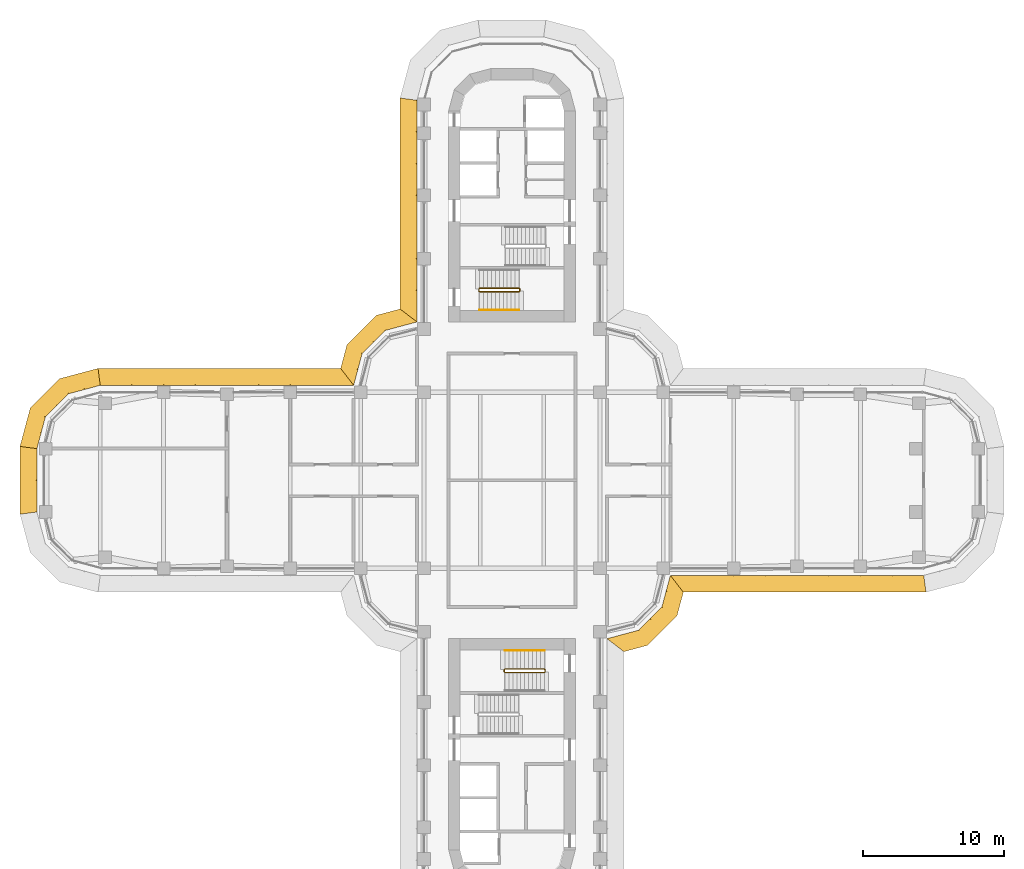
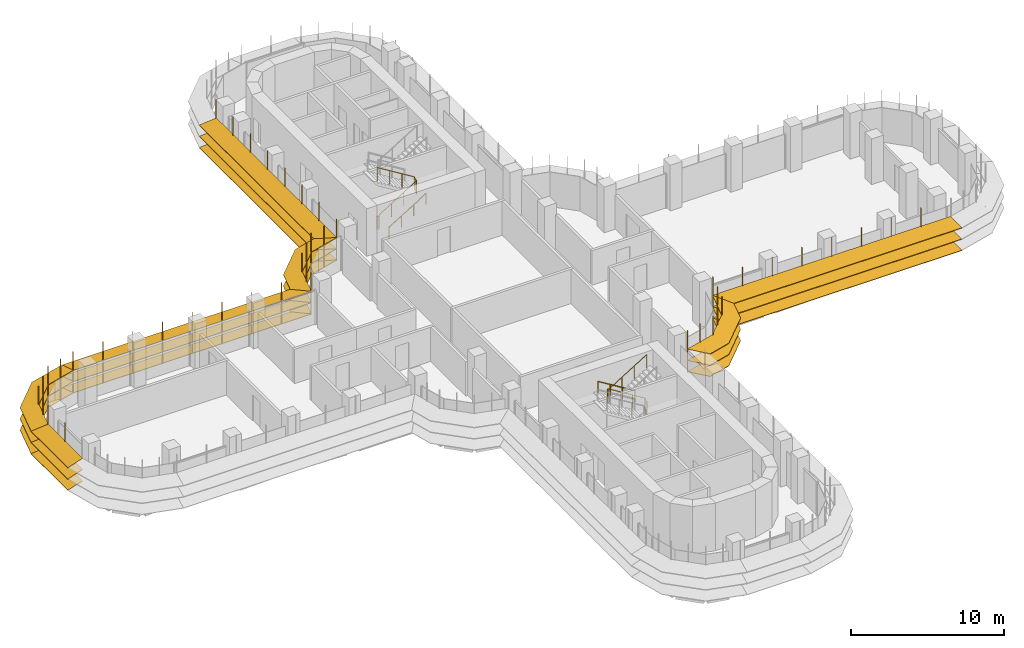
# One storey, part 19 of 21: 7 shading devices, 4 railings.
"""IFC4 building model written with IfcOpenShell, lengths in metres."""

from ifc_helpers import new_model, si_unit, direction, frame, origin, origin_2d, place, context, subcontext, project, spatial, polyline, circle, outline, extrude, faceted_brep, source, transform, mapped, material, type_object, element, save


model = new_model("IFC4")

# Units and contexts
model_context = context("Model", 3, precision=1e-05, world=origin(), true_north=direction((0.0, 1.0)))
body_context = subcontext(model_context, "Body", "Model", "MODEL_VIEW")
ifc_project = project(units=[si_unit("LENGTHUNIT", "METRE"), si_unit("AREAUNIT", "SQUARE_METRE"), si_unit("VOLUMEUNIT", "CUBIC_METRE"), si_unit("PLANEANGLEUNIT", "RADIAN"), si_unit("MASSUNIT", "GRAM", prefix="KILO")], contexts=[model_context])

# Site, building, storey
site_placement = place(None, origin())
site = spatial("IfcSite", under=ifc_project, at=site_placement, CompositionType="ELEMENT")
building_placement = place(site_placement, origin())
building = spatial("IfcBuilding", under=site, at=building_placement, Name="Zarbagh Exchange Tower", CompositionType="ELEMENT")
storey_placement = place(building_placement, frame((0.0, 0.0, 120.800048828125)))
storey = spatial("IfcBuildingStorey", under=building, at=storey_placement, Name="L28", CompositionType="ELEMENT", Elevation=120.800048828125)

# Railings
ifc_material_1 = material(Name="Stainless steel", Category="steel")
railing_type_1 = type_object("IfcRailingType", Name="Stair guard 1100 mm", PredefinedType="GUARDRAIL", material=ifc_material_1)
railing_1_placement = place(storey_placement, frame((-2.35009765625, 13.60009765625, 0.0)))
element("IfcRailing", 1, at=railing_1_placement, inside=storey, type_object=railing_type_1, Name="ST2 stair guard 1", PredefinedType="GUARDRAIL", context=body_context, shape_type="SweptSolid", body=[
    extrude(circle(Radius=0.02392578125, at=origin_2d()), frame((0.0, 0.0, 1.076171875), z_axis=(0.0, -1.0, 0.0), x_axis=(1.0, 0.0, 0.0)), (0.0, 0.0, 1.0), 0.150146484375),
    extrude(circle(Radius=0.02392578125, at=origin_2d()), frame((0.0, -0.150146484375, 1.076171875), z_axis=(0.268277960024, -0.268277960024, 0.925231793839), x_axis=(0.707106781187, 0.707106781187, 0.0)), (0.0, 0.0, 1.0), 0.1865234375),
    extrude(circle(Radius=0.02392578125, at=origin_2d()), frame((0.050048828125, -0.2001953125, 1.24853515625), z_axis=(0.851089632645, 0.0, 0.525020415988), x_axis=(0.0, 1.0, 0.0)), (0.0, 0.0, 1.0), 3.2900390625),
    extrude(circle(Radius=0.02392578125, at=origin_2d()), frame((2.85009765625, -0.2001953125, 2.97607421875), z_axis=(0.707106781187, 0.707106781187, 0.0), x_axis=(-0.707106781187, 0.707106781187, 0.0)), (0.0, 0.0, 1.0), 0.07080078125),
    extrude(circle(Radius=0.02392578125, at=origin_2d()), frame((2.900146484375, -0.150146484375, 2.97607421875), z_axis=(0.0, 1.0, 0.0), x_axis=(-1.0, 0.0, 0.0)), (0.0, 0.0, 1.0), 0.150146484375),
    extrude(circle(Radius=0.02392578125, at=origin_2d()), frame((2.900146484375, 0.0, 2.97607421875), z_axis=(-0.268047150085, 0.266739603011, 0.925743328097), x_axis=(-0.705375805398, -0.708833529934, 0.0)), (0.0, 0.0, 1.0), 0.186767578125),
    extrude(circle(Radius=0.02392578125, at=origin_2d()), frame((2.85009765625, 0.0498046875, 3.14892578125), z_axis=(-0.851089632645, 0.0, 0.525020415988), x_axis=(0.0, -1.0, 0.0)), (0.0, 0.0, 1.0), 3.2900390625),
    extrude(circle(Radius=0.02099609375, at=origin_2d()), origin(), (0.0, 0.0, 1.0), 1.052001953125),
    extrude(circle(Radius=0.02099609375, at=origin_2d()), frame((0.0, -0.150146484375, 0.0)), (0.0, 0.0, 1.0), 1.052001953125),
    extrude(circle(Radius=0.02099609375, at=origin_2d()), frame((0.050048828125, -0.2001953125, 0.172607421875)), (0.0, 0.0, 1.0), 1.052001953125),
    extrude(circle(Radius=0.02099609375, at=origin_2d()), frame((0.9833984375, -0.2001953125, 0.748291015625)), (0.0, 0.0, 1.0), 1.052001953125),
    extrude(circle(Radius=0.02099609375, at=origin_2d()), frame((1.916748046875, -0.2001953125, 1.32421875)), (0.0, 0.0, 1.0), 1.052001953125),
    extrude(circle(Radius=0.02099609375, at=origin_2d()), frame((2.85009765625, -0.2001953125, 1.89990234375)), (0.0, 0.0, 1.0), 1.052001953125),
    extrude(circle(Radius=0.02099609375, at=origin_2d()), frame((2.900146484375, -0.150146484375, 1.89990234375)), (0.0, 0.0, 1.0), 1.052001953125),
    extrude(circle(Radius=0.02099609375, at=origin_2d()), frame((2.900146484375, 0.0, 1.89990234375)), (0.0, 0.0, 1.0), 1.052001953125),
    extrude(circle(Radius=0.02099609375, at=origin_2d()), frame((2.85009765625, 0.0498046875, 2.07275390625)), (0.0, 0.0, 1.0), 1.052001953125),
    extrude(circle(Radius=0.02099609375, at=origin_2d()), frame((1.916748046875, 0.0498046875, 2.6484375)), (0.0, 0.0, 1.0), 1.052001953125),
    extrude(circle(Radius=0.02099609375, at=origin_2d()), frame((0.9833984375, 0.0498046875, 3.224365234375)), (0.0, 0.0, 1.0), 1.052001953125),
    extrude(circle(Radius=0.02099609375, at=origin_2d()), frame((0.050048828125, 0.0498046875, 3.800048828125)), (0.0, 0.0, 1.0), 1.052001953125),
])
railing_2_placement = place(storey_placement, frame((2.35009765625, -13.60009765625, 0.0)))
element("IfcRailing", 2, at=railing_2_placement, inside=storey, type_object=railing_type_1, Name="ST4 stair guard 1", PredefinedType="GUARDRAIL", context=body_context, shape_type="SweptSolid", body=[
    extrude(circle(Radius=0.02392578125, at=origin_2d()), frame((0.0, 0.0, 1.076171875), z_axis=(0.0, 1.0, 0.0), x_axis=(-1.0, 0.0, 0.0)), (0.0, 0.0, 1.0), 0.150146484375),
    extrude(circle(Radius=0.02392578125, at=origin_2d()), frame((0.0, 0.150146484375, 1.076171875), z_axis=(-0.268277960024, 0.268277960024, 0.925231793839), x_axis=(-0.707106781187, -0.707106781187, 0.0)), (0.0, 0.0, 1.0), 0.1865234375),
    extrude(circle(Radius=0.02392578125, at=origin_2d()), frame((-0.050048828125, 0.2001953125, 1.24853515625), z_axis=(-0.851089632645, 0.0, 0.525020415988), x_axis=(0.0, -1.0, 0.0)), (0.0, 0.0, 1.0), 3.2900390625),
    extrude(circle(Radius=0.02392578125, at=origin_2d()), frame((-2.85009765625, 0.2001953125, 2.97607421875), z_axis=(-0.707106781187, -0.707106781187, 0.0), x_axis=(0.707106781187, -0.707106781187, 0.0)), (0.0, 0.0, 1.0), 0.07080078125),
    extrude(circle(Radius=0.02392578125, at=origin_2d()), frame((-2.900146484375, 0.150146484375, 2.97607421875), z_axis=(0.0, -1.0, 0.0), x_axis=(1.0, 0.0, 0.0)), (0.0, 0.0, 1.0), 0.150146484375),
    extrude(circle(Radius=0.02392578125, at=origin_2d()), frame((-2.900146484375, 0.0, 2.97607421875), z_axis=(0.268047150085, -0.266739603011, 0.925743328097), x_axis=(0.705375805398, 0.708833529934, 0.0)), (0.0, 0.0, 1.0), 0.186767578125),
    extrude(circle(Radius=0.02392578125, at=origin_2d()), frame((-2.85009765625, -0.0498046875, 3.14892578125), z_axis=(0.851089632645, 0.0, 0.525020415988), x_axis=(0.0, 1.0, 0.0)), (0.0, 0.0, 1.0), 3.2900390625),
    extrude(circle(Radius=0.02099609375, at=origin_2d()), origin(), (0.0, 0.0, 1.0), 1.052001953125),
    extrude(circle(Radius=0.02099609375, at=origin_2d()), frame((0.0, 0.150146484375, 0.0)), (0.0, 0.0, 1.0), 1.052001953125),
    extrude(circle(Radius=0.02099609375, at=origin_2d()), frame((-0.050048828125, 0.2001953125, 0.172607421875)), (0.0, 0.0, 1.0), 1.052001953125),
    extrude(circle(Radius=0.02099609375, at=origin_2d()), frame((-0.9833984375, 0.2001953125, 0.748291015625)), (0.0, 0.0, 1.0), 1.052001953125),
    extrude(circle(Radius=0.02099609375, at=origin_2d()), frame((-1.916748046875, 0.2001953125, 1.32421875)), (0.0, 0.0, 1.0), 1.052001953125),
    extrude(circle(Radius=0.02099609375, at=origin_2d()), frame((-2.85009765625, 0.2001953125, 1.89990234375)), (0.0, 0.0, 1.0), 1.052001953125),
    extrude(circle(Radius=0.02099609375, at=origin_2d()), frame((-2.900146484375, 0.150146484375, 1.89990234375)), (0.0, 0.0, 1.0), 1.052001953125),
    extrude(circle(Radius=0.02099609375, at=origin_2d()), frame((-2.900146484375, 0.0, 1.89990234375)), (0.0, 0.0, 1.0), 1.052001953125),
    extrude(circle(Radius=0.02099609375, at=origin_2d()), frame((-2.85009765625, -0.0498046875, 2.07275390625)), (0.0, 0.0, 1.0), 1.052001953125),
    extrude(circle(Radius=0.02099609375, at=origin_2d()), frame((-1.916748046875, -0.0498046875, 2.6484375)), (0.0, 0.0, 1.0), 1.052001953125),
    extrude(circle(Radius=0.02099609375, at=origin_2d()), frame((-0.9833984375, -0.0498046875, 3.224365234375)), (0.0, 0.0, 1.0), 1.052001953125),
    extrude(circle(Radius=0.02099609375, at=origin_2d()), frame((-0.050048828125, -0.0498046875, 3.800048828125)), (0.0, 0.0, 1.0), 1.052001953125),
])
railing_type_2 = type_object("IfcRailingType", Name="Stair handrail 900 mm", PredefinedType="HANDRAIL", material=ifc_material_1)
railing_3_placement = place(storey_placement, frame((-2.300048828125, 12.10009765625, 0.172607421875)))
element("IfcRailing", 3, at=railing_3_placement, inside=storey, type_object=railing_type_2, Name="ST2 stair handrail 1", PredefinedType="HANDRAIL", context=body_context, shape_type="SweptSolid", body=[
    extrude(circle(Radius=0.02392578125, at=origin_2d()), frame((0.0, 0.0, 0.8759765625), z_axis=(0.851089632645, 0.0, 0.525020415988), x_axis=(0.0, 1.0, 0.0)), (0.0, 0.0, 1.0), 3.2900390625),
    extrude(circle(Radius=0.02099609375, at=origin_2d()), origin(), (0.0, 0.0, 1.0), 0.851806640625),
    extrude(circle(Radius=0.02099609375, at=origin_2d()), frame((0.933349609375, 0.0, 0.57568359375)), (0.0, 0.0, 1.0), 0.851806640625),
    extrude(circle(Radius=0.02099609375, at=origin_2d()), frame((1.86669921875, 0.0, 1.151611328125)), (0.0, 0.0, 1.0), 0.851806640625),
    extrude(circle(Radius=0.02099609375, at=origin_2d()), frame((2.800048828125, 0.0, 1.727294921875)), (0.0, 0.0, 1.0), 0.851806640625),
])
railing_4_placement = place(storey_placement, frame((2.300048828125, -12.10009765625, 0.172607421875)))
element("IfcRailing", 4, at=railing_4_placement, inside=storey, type_object=railing_type_2, Name="ST4 stair handrail 1", PredefinedType="HANDRAIL", context=body_context, shape_type="SweptSolid", body=[
    extrude(circle(Radius=0.02392578125, at=origin_2d()), frame((0.0, 0.0, 0.8759765625), z_axis=(-0.851089632645, 0.0, 0.525020415988), x_axis=(0.0, -1.0, 0.0)), (0.0, 0.0, 1.0), 3.2900390625),
    extrude(circle(Radius=0.02099609375, at=origin_2d()), origin(), (0.0, 0.0, 1.0), 0.851806640625),
    extrude(circle(Radius=0.02099609375, at=origin_2d()), frame((-0.933349609375, 0.0, 0.57568359375)), (0.0, 0.0, 1.0), 0.851806640625),
    extrude(circle(Radius=0.02099609375, at=origin_2d()), frame((-1.86669921875, 0.0, 1.151611328125)), (0.0, 0.0, 1.0), 0.851806640625),
    extrude(circle(Radius=0.02099609375, at=origin_2d()), frame((-2.800048828125, 0.0, 1.727294921875)), (0.0, 0.0, 1.0), 0.851806640625),
])

# Shading devices
ifc_material_2 = material(Name="Anodised aluminium blades and brackets", Category="aluminium")
shading_device_type = type_object("IfcShadingDeviceType", Name="SUNSHADE louvre band, 11.25 degree blades", PredefinedType="JALOUSIE", material=ifc_material_2)
shared_shape_1 = source(origin(), body_context, "Body", "Brep", [
    faceted_brep([(0.0, 0.0, 0.0), (0.0, 0.0, -0.040771484375), (-0.157958984375, -1.199951171875, -0.279541015625), (-0.157958984375, -1.199951171875, -0.23876953125), (2.65087890625, -1.199951171875, -0.23876953125), (2.65087890625, -1.199951171875, -0.279541015625), (2.329345703125, 0.0, -0.040771484375), (2.329345703125, 0.0, 0.0)], [[[0, 1, 2, 3]], [[4, 5, 6, 7]], [[0, 7, 6, 1]], [[1, 6, 5, 2]], [[2, 5, 4, 3]], [[3, 4, 7, 0]]]),
])
shared_shape_2 = source(origin(), body_context, "Body", "Brep", [
    faceted_brep([(0.0, 0.0, 0.0), (0.0, 0.0, -0.040771484375), (-0.321533203125, -1.199951171875, -0.279541015625), (-0.321533203125, -1.199951171875, -0.23876953125), (2.65087890625, -1.199951171875, -0.23876953125), (2.65087890625, -1.199951171875, -0.279541015625), (2.329345703125, 0.0, -0.040771484375), (2.329345703125, 0.0, 0.0)], [[[0, 1, 2, 3]], [[4, 5, 6, 7]], [[0, 7, 6, 1]], [[1, 6, 5, 2]], [[2, 5, 4, 3]], [[3, 4, 7, 0]]]),
])
shared_shape_3 = source(origin(), body_context, "Body", "Brep", [
    faceted_brep([(0.0, 0.0, 0.0), (0.0, 0.0, -0.040771484375), (-0.321533203125, -1.199951171875, -0.279541015625), (-0.321533203125, -1.199951171875, -0.23876953125), (2.4873046875, -1.199951171875, -0.23876953125), (2.4873046875, -1.199951171875, -0.279541015625), (2.329345703125, 0.0, -0.040771484375), (2.329345703125, 0.0, 0.0)], [[[0, 1, 2, 3]], [[4, 5, 6, 7]], [[0, 7, 6, 1]], [[1, 6, 5, 2]], [[2, 5, 4, 3]], [[3, 4, 7, 0]]]),
])
shared_shape_4 = source(origin(), body_context, "Body", "SweptSolid", [
    extrude(outline(polyline([(0.0, -0.012451171875), (0.06005859375, -0.012451171875), (0.06005859375, 0.012451171875), (0.0, 0.012451171875), (0.0, -0.012451171875)])), origin(), (0.0, 0.0, 1.0), 3.350830078125),
])
placement = place(storey_placement, origin())
element("IfcShadingDevice", 5, at=placement, inside=storey, type_object=shading_device_type, Name="SS17 sunshade band", PredefinedType="JALOUSIE", context=body_context, shape_type="MappedRepresentation", body=[
    mapped(shared_shape_1, transform((-29.25, 6.75, 2.300048828125), x_axis=(-0.965924289636, -0.258824779902, 0.0), y_axis=(0.258824779902, -0.965924289636, 0.0), z_axis=(0.0, 0.0, 1.0))),
    mapped(shared_shape_1, transform((-29.25, 6.75, 1.39990234375), x_axis=(-0.965924289636, -0.258824779902, 0.0), y_axis=(0.258824779902, -0.965924289636, 0.0), z_axis=(0.0, 0.0, 1.0))),
    mapped(shared_shape_1, transform((-29.25, 6.75, 0.5), x_axis=(-0.965924289636, -0.258824779902, 0.0), y_axis=(0.258824779902, -0.965924289636, 0.0), z_axis=(0.0, 0.0, 1.0))),
    mapped(shared_shape_2, transform((-31.5, 6.147216796875, 2.300048828125), x_axis=(-0.707106781187, -0.707106781187, 0.0), y_axis=(0.707106781187, -0.707106781187, 0.0), z_axis=(0.0, 0.0, 1.0))),
    mapped(shared_shape_2, transform((-31.5, 6.147216796875, 1.39990234375), x_axis=(-0.707106781187, -0.707106781187, 0.0), y_axis=(0.707106781187, -0.707106781187, 0.0), z_axis=(0.0, 0.0, 1.0))),
    mapped(shared_shape_2, transform((-31.5, 6.147216796875, 0.5), x_axis=(-0.707106781187, -0.707106781187, 0.0), y_axis=(0.707106781187, -0.707106781187, 0.0), z_axis=(0.0, 0.0, 1.0))),
    mapped(shared_shape_3, transform((-33.147216796875, 4.5, 2.300048828125), x_axis=(-0.258824779902, -0.965924289636, 0.0), y_axis=(0.965924289636, -0.258824779902, 0.0), z_axis=(0.0, 0.0, 1.0))),
    mapped(shared_shape_3, transform((-33.147216796875, 4.5, 1.39990234375), x_axis=(-0.258824779902, -0.965924289636, 0.0), y_axis=(0.965924289636, -0.258824779902, 0.0), z_axis=(0.0, 0.0, 1.0))),
    mapped(shared_shape_3, transform((-33.147216796875, 4.5, 0.5), x_axis=(-0.258824779902, -0.965924289636, 0.0), y_axis=(0.965924289636, -0.258824779902, 0.0), z_axis=(0.0, 0.0, 1.0))),
    mapped(shared_shape_4, transform((-29.25, 6.75, 0.42919921875), x_axis=(-0.130529263012, 0.991444457092, 0.0), y_axis=(-0.991444457092, -0.130529263012, 0.0), z_axis=(0.0, 0.0, 1.0))),
    mapped(shared_shape_4, transform((-30.375, 6.448486328125, 0.42919921875), x_axis=(-0.258825058029, 0.96592421511, 0.0), y_axis=(-0.96592421511, -0.258825058029, 0.0), z_axis=(0.0, 0.0, 1.0))),
    mapped(shared_shape_4, transform((-31.5, 6.147216796875, 0.42919921875), x_axis=(-0.50000275701, 0.866023812018, 0.0), y_axis=(-0.866023812018, -0.50000275701, 0.0), z_axis=(0.0, 0.0, 1.0))),
    mapped(shared_shape_4, transform((-32.323486328125, 5.323486328125, 0.42919921875), x_axis=(-0.707106781187, 0.707106781187, 0.0), y_axis=(-0.707106781187, -0.707106781187, 0.0), z_axis=(0.0, 0.0, 1.0))),
    mapped(shared_shape_4, transform((-33.147216796875, 4.5, 0.42919921875), x_axis=(-0.866023812018, 0.50000275701, 0.0), y_axis=(-0.50000275701, -0.866023812018, 0.0), z_axis=(0.0, 0.0, 1.0))),
    mapped(shared_shape_4, transform((-33.448486328125, 3.375, 0.42919921875), x_axis=(-0.96592421511, 0.258825058029, 0.0), y_axis=(-0.258825058029, -0.96592421511, 0.0), z_axis=(0.0, 0.0, 1.0))),
])
shared_shape_5 = source(origin(), body_context, "Body", "Brep", [
    faceted_brep([(0.0, 0.0, 0.0), (0.0, 0.0, -0.040771484375), (0.9208984375, -1.199951171875, -0.279541015625), (0.9208984375, -1.199951171875, -0.23876953125), (2.65087890625, -1.199951171875, -0.23876953125), (2.65087890625, -1.199951171875, -0.279541015625), (2.329345703125, 0.0, -0.040771484375), (2.329345703125, 0.0, 0.0)], [[[0, 1, 2, 3]], [[4, 5, 6, 7]], [[0, 7, 6, 1]], [[1, 6, 5, 2]], [[2, 5, 4, 3]], [[3, 4, 7, 0]]]),
])
shared_shape_6 = source(origin(), body_context, "Body", "Brep", [
    faceted_brep([(0.0, 0.0, 0.0), (0.0, 0.0, -0.040771484375), (-0.321533203125, -1.199951171875, -0.279541015625), (-0.321533203125, -1.199951171875, -0.23876953125), (1.40869140625, -1.199951171875, -0.23876953125), (1.40869140625, -1.199951171875, -0.279541015625), (2.329345703125, 0.0, -0.040771484375), (2.329345703125, 0.0, 0.0)], [[[0, 1, 2, 3]], [[4, 5, 6, 7]], [[0, 7, 6, 1]], [[1, 6, 5, 2]], [[2, 5, 4, 3]], [[3, 4, 7, 0]]]),
])
element("IfcShadingDevice", 6, at=placement, inside=storey, type_object=shading_device_type, Name="SS03 sunshade band", PredefinedType="JALOUSIE", context=body_context, shape_type="MappedRepresentation", body=[
    mapped(shared_shape_5, transform((6.75, -11.25, 2.300048828125), x_axis=(0.965924289636, 0.258824779902, 0.0), y_axis=(-0.258824779902, 0.965924289636, 0.0), z_axis=(0.0, 0.0, 1.0))),
    mapped(shared_shape_5, transform((6.75, -11.25, 1.39990234375), x_axis=(0.965924289636, 0.258824779902, 0.0), y_axis=(-0.258824779902, 0.965924289636, 0.0), z_axis=(0.0, 0.0, 1.0))),
    mapped(shared_shape_5, transform((6.75, -11.25, 0.5), x_axis=(0.965924289636, 0.258824779902, 0.0), y_axis=(-0.258824779902, 0.965924289636, 0.0), z_axis=(0.0, 0.0, 1.0))),
    mapped(shared_shape_2, transform((9.0, -10.647216796875, 2.300048828125), x_axis=(0.707106781187, 0.707106781187, 0.0), y_axis=(-0.707106781187, 0.707106781187, 0.0), z_axis=(0.0, 0.0, 1.0))),
    mapped(shared_shape_2, transform((9.0, -10.647216796875, 1.39990234375), x_axis=(0.707106781187, 0.707106781187, 0.0), y_axis=(-0.707106781187, 0.707106781187, 0.0), z_axis=(0.0, 0.0, 1.0))),
    mapped(shared_shape_2, transform((9.0, -10.647216796875, 0.5), x_axis=(0.707106781187, 0.707106781187, 0.0), y_axis=(-0.707106781187, 0.707106781187, 0.0), z_axis=(0.0, 0.0, 1.0))),
    mapped(shared_shape_6, transform((10.647216796875, -9.0, 2.300048828125), x_axis=(0.258824779902, 0.965924289636, 0.0), y_axis=(-0.965924289636, 0.258824779902, 0.0), z_axis=(0.0, 0.0, 1.0))),
    mapped(shared_shape_6, transform((10.647216796875, -9.0, 1.39990234375), x_axis=(0.258824779902, 0.965924289636, 0.0), y_axis=(-0.965924289636, 0.258824779902, 0.0), z_axis=(0.0, 0.0, 1.0))),
    mapped(shared_shape_6, transform((10.647216796875, -9.0, 0.5), x_axis=(0.258824779902, 0.965924289636, 0.0), y_axis=(-0.965924289636, 0.258824779902, 0.0), z_axis=(0.0, 0.0, 1.0))),
    mapped(shared_shape_4, transform((6.75, -11.25, 0.42919921875), x_axis=(0.793355287, -0.608758892, 0.0), y_axis=(0.608758892, 0.793355287, 0.0), z_axis=(0.0, 0.0, 1.0))),
    mapped(shared_shape_4, transform((7.875, -10.948486328125, 0.42919921875), x_axis=(0.258825058029, -0.96592421511, 0.0), y_axis=(0.96592421511, 0.258825058029, 0.0), z_axis=(0.0, 0.0, 1.0))),
    mapped(shared_shape_4, transform((9.0, -10.647216796875, 0.42919921875), x_axis=(0.50000275701, -0.866023812018, 0.0), y_axis=(0.866023812018, 0.50000275701, 0.0), z_axis=(0.0, 0.0, 1.0))),
    mapped(shared_shape_4, transform((9.823486328125, -9.823486328125, 0.42919921875), x_axis=(0.707106781187, -0.707106781187, 0.0), y_axis=(0.707106781187, 0.707106781187, 0.0), z_axis=(0.0, 0.0, 1.0))),
    mapped(shared_shape_4, transform((10.647216796875, -9.0, 0.42919921875), x_axis=(0.866023812018, -0.50000275701, 0.0), y_axis=(0.50000275701, 0.866023812018, 0.0), z_axis=(0.0, 0.0, 1.0))),
    mapped(shared_shape_4, transform((10.948486328125, -7.875, 0.42919921875), x_axis=(0.96592421511, -0.258825058029, 0.0), y_axis=(0.258825058029, 0.96592421511, 0.0), z_axis=(0.0, 0.0, 1.0))),
])
element("IfcShadingDevice", 7, at=placement, inside=storey, type_object=shading_device_type, Name="SS15 sunshade band", PredefinedType="JALOUSIE", context=body_context, shape_type="MappedRepresentation", body=[
    mapped(shared_shape_5, transform((-6.75, 11.25, 2.300048828125), x_axis=(-0.965924289636, -0.258824779902, 0.0), y_axis=(0.258824779902, -0.965924289636, 0.0), z_axis=(0.0, 0.0, 1.0))),
    mapped(shared_shape_5, transform((-6.75, 11.25, 1.39990234375), x_axis=(-0.965924289636, -0.258824779902, 0.0), y_axis=(0.258824779902, -0.965924289636, 0.0), z_axis=(0.0, 0.0, 1.0))),
    mapped(shared_shape_5, transform((-6.75, 11.25, 0.5), x_axis=(-0.965924289636, -0.258824779902, 0.0), y_axis=(0.258824779902, -0.965924289636, 0.0), z_axis=(0.0, 0.0, 1.0))),
    mapped(shared_shape_2, transform((-9.0, 10.647216796875, 2.300048828125), x_axis=(-0.707106781187, -0.707106781187, 0.0), y_axis=(0.707106781187, -0.707106781187, 0.0), z_axis=(0.0, 0.0, 1.0))),
    mapped(shared_shape_2, transform((-9.0, 10.647216796875, 1.39990234375), x_axis=(-0.707106781187, -0.707106781187, 0.0), y_axis=(0.707106781187, -0.707106781187, 0.0), z_axis=(0.0, 0.0, 1.0))),
    mapped(shared_shape_2, transform((-9.0, 10.647216796875, 0.5), x_axis=(-0.707106781187, -0.707106781187, 0.0), y_axis=(0.707106781187, -0.707106781187, 0.0), z_axis=(0.0, 0.0, 1.0))),
    mapped(shared_shape_6, transform((-10.647216796875, 9.0, 2.300048828125), x_axis=(-0.258824779902, -0.965924289636, 0.0), y_axis=(0.965924289636, -0.258824779902, 0.0), z_axis=(0.0, 0.0, 1.0))),
    mapped(shared_shape_6, transform((-10.647216796875, 9.0, 1.39990234375), x_axis=(-0.258824779902, -0.965924289636, 0.0), y_axis=(0.965924289636, -0.258824779902, 0.0), z_axis=(0.0, 0.0, 1.0))),
    mapped(shared_shape_6, transform((-10.647216796875, 9.0, 0.5), x_axis=(-0.258824779902, -0.965924289636, 0.0), y_axis=(0.965924289636, -0.258824779902, 0.0), z_axis=(0.0, 0.0, 1.0))),
    mapped(shared_shape_4, transform((-6.75, 11.25, 0.42919921875), x_axis=(-0.793355287, 0.608758892, 0.0), y_axis=(-0.608758892, -0.793355287, 0.0), z_axis=(0.0, 0.0, 1.0))),
    mapped(shared_shape_4, transform((-7.875, 10.948486328125, 0.42919921875), x_axis=(-0.258825058029, 0.96592421511, 0.0), y_axis=(-0.96592421511, -0.258825058029, 0.0), z_axis=(0.0, 0.0, 1.0))),
    mapped(shared_shape_4, transform((-9.0, 10.647216796875, 0.42919921875), x_axis=(-0.50000275701, 0.866023812018, 0.0), y_axis=(-0.866023812018, -0.50000275701, 0.0), z_axis=(0.0, 0.0, 1.0))),
    mapped(shared_shape_4, transform((-9.823486328125, 9.823486328125, 0.42919921875), x_axis=(-0.707106781187, 0.707106781187, 0.0), y_axis=(-0.707106781187, -0.707106781187, 0.0), z_axis=(0.0, 0.0, 1.0))),
    mapped(shared_shape_4, transform((-10.647216796875, 9.0, 0.42919921875), x_axis=(-0.866023812018, 0.50000275701, 0.0), y_axis=(-0.50000275701, -0.866023812018, 0.0), z_axis=(0.0, 0.0, 1.0))),
    mapped(shared_shape_4, transform((-10.948486328125, 7.875, 0.42919921875), x_axis=(-0.96592421511, 0.258825058029, 0.0), y_axis=(-0.258825058029, -0.96592421511, 0.0), z_axis=(0.0, 0.0, 1.0))),
])
shared_shape_7 = source(origin(), body_context, "Body", "Brep", [
    faceted_brep([(0.0, 0.0, 0.0), (0.0, 0.0, -0.040771484375), (0.9208984375, -1.199951171875, -0.279541015625), (0.9208984375, -1.199951171875, -0.23876953125), (18.157958984375, -1.199951171875, -0.23876953125), (18.157958984375, -1.199951171875, -0.279541015625), (18.0, 0.0, -0.040771484375), (18.0, 0.0, 0.0)], [[[0, 1, 2, 3]], [[4, 5, 6, 7]], [[0, 7, 6, 1]], [[1, 6, 5, 2]], [[2, 5, 4, 3]], [[3, 4, 7, 0]]]),
])
element("IfcShadingDevice", 8, at=placement, inside=storey, type_object=shading_device_type, Name="SS04 sunshade band", PredefinedType="JALOUSIE", context=body_context, shape_type="MappedRepresentation", body=[
    mapped(shared_shape_7, transform((11.25, -6.75, 2.300048828125), x_axis=(1.0, 0.0, 0.0), y_axis=(0.0, 1.0, 0.0), z_axis=(0.0, 0.0, 1.0))),
    mapped(shared_shape_7, transform((11.25, -6.75, 1.39990234375), x_axis=(1.0, 0.0, 0.0), y_axis=(0.0, 1.0, 0.0), z_axis=(0.0, 0.0, 1.0))),
    mapped(shared_shape_7, transform((11.25, -6.75, 0.5), x_axis=(1.0, 0.0, 0.0), y_axis=(0.0, 1.0, 0.0), z_axis=(0.0, 0.0, 1.0))),
    mapped(shared_shape_4, transform((11.25, -6.75, 0.42919921875), x_axis=(0.608758892, -0.793355287, 0.0), y_axis=(0.793355287, 0.608758892, 0.0), z_axis=(0.0, 0.0, 1.0))),
    mapped(shared_shape_4, transform((13.5, -6.75, 0.42919921875), x_axis=(0.0, -1.0, 0.0), y_axis=(1.0, 0.0, 0.0), z_axis=(0.0, 0.0, 1.0))),
    mapped(shared_shape_4, transform((15.75, -6.75, 0.42919921875), x_axis=(0.0, -1.0, 0.0), y_axis=(1.0, 0.0, 0.0), z_axis=(0.0, 0.0, 1.0))),
    mapped(shared_shape_4, transform((18.0, -6.75, 0.42919921875), x_axis=(0.0, -1.0, 0.0), y_axis=(1.0, 0.0, 0.0), z_axis=(0.0, 0.0, 1.0))),
    mapped(shared_shape_4, transform((20.25, -6.75, 0.42919921875), x_axis=(0.0, -1.0, 0.0), y_axis=(1.0, 0.0, 0.0), z_axis=(0.0, 0.0, 1.0))),
    mapped(shared_shape_4, transform((22.5, -6.75, 0.42919921875), x_axis=(0.0, -1.0, 0.0), y_axis=(1.0, 0.0, 0.0), z_axis=(0.0, 0.0, 1.0))),
    mapped(shared_shape_4, transform((24.75, -6.75, 0.42919921875), x_axis=(0.0, -1.0, 0.0), y_axis=(1.0, 0.0, 0.0), z_axis=(0.0, 0.0, 1.0))),
    mapped(shared_shape_4, transform((27.0, -6.75, 0.42919921875), x_axis=(0.0, -1.0, 0.0), y_axis=(1.0, 0.0, 0.0), z_axis=(0.0, 0.0, 1.0))),
])
shared_shape_8 = source(origin(), body_context, "Body", "Brep", [
    faceted_brep([(0.0, 0.0, 0.0), (0.0, 0.0, -0.040771484375), (-0.157958984375, -1.199951171875, -0.279541015625), (-0.157958984375, -1.199951171875, -0.23876953125), (14.8291015625, -1.199951171875, -0.23876953125), (14.8291015625, -1.199951171875, -0.279541015625), (15.75, 0.0, -0.040771484375), (15.75, 0.0, 0.0)], [[[0, 1, 2, 3]], [[4, 5, 6, 7]], [[0, 7, 6, 1]], [[1, 6, 5, 2]], [[2, 5, 4, 3]], [[3, 4, 7, 0]]]),
])
element("IfcShadingDevice", 9, at=placement, inside=storey, type_object=shading_device_type, Name="SS29 sunshade band", PredefinedType="JALOUSIE", context=body_context, shape_type="MappedRepresentation", body=[
    mapped(shared_shape_8, transform((-6.75, 27.0, 2.300048828125), x_axis=(0.0, -1.0, 0.0), y_axis=(1.0, 0.0, 0.0), z_axis=(0.0, 0.0, 1.0))),
    mapped(shared_shape_8, transform((-6.75, 27.0, 1.39990234375), x_axis=(0.0, -1.0, 0.0), y_axis=(1.0, 0.0, 0.0), z_axis=(0.0, 0.0, 1.0))),
    mapped(shared_shape_8, transform((-6.75, 27.0, 0.5), x_axis=(0.0, -1.0, 0.0), y_axis=(1.0, 0.0, 0.0), z_axis=(0.0, 0.0, 1.0))),
    mapped(shared_shape_4, transform((-6.75, 27.0, 0.42919921875), x_axis=(-0.991444457092, 0.130529263012, 0.0), y_axis=(-0.130529263012, -0.991444457092, 0.0), z_axis=(0.0, 0.0, 1.0))),
    mapped(shared_shape_4, transform((-6.75, 24.75, 0.42919921875), x_axis=(-1.0, 0.0, 0.0), y_axis=(0.0, -1.0, 0.0), z_axis=(0.0, 0.0, 1.0))),
    mapped(shared_shape_4, transform((-6.75, 22.5, 0.42919921875), x_axis=(-1.0, 0.0, 0.0), y_axis=(0.0, -1.0, 0.0), z_axis=(0.0, 0.0, 1.0))),
    mapped(shared_shape_4, transform((-6.75, 20.25, 0.42919921875), x_axis=(-1.0, 0.0, 0.0), y_axis=(0.0, -1.0, 0.0), z_axis=(0.0, 0.0, 1.0))),
    mapped(shared_shape_4, transform((-6.75, 18.0, 0.42919921875), x_axis=(-1.0, 0.0, 0.0), y_axis=(0.0, -1.0, 0.0), z_axis=(0.0, 0.0, 1.0))),
    mapped(shared_shape_4, transform((-6.75, 15.75, 0.42919921875), x_axis=(-1.0, 0.0, 0.0), y_axis=(0.0, -1.0, 0.0), z_axis=(0.0, 0.0, 1.0))),
    mapped(shared_shape_4, transform((-6.75, 13.5, 0.42919921875), x_axis=(-1.0, 0.0, 0.0), y_axis=(0.0, -1.0, 0.0), z_axis=(0.0, 0.0, 1.0))),
])
element("IfcShadingDevice", 10, at=placement, inside=storey, type_object=shading_device_type, Name="SS16 sunshade band", PredefinedType="JALOUSIE", context=body_context, shape_type="MappedRepresentation", body=[
    mapped(shared_shape_7, transform((-11.25, 6.75, 2.300048828125), x_axis=(-1.0, 0.0, 0.0), y_axis=(0.0, -1.0, 0.0), z_axis=(0.0, 0.0, 1.0))),
    mapped(shared_shape_7, transform((-11.25, 6.75, 1.39990234375), x_axis=(-1.0, 0.0, 0.0), y_axis=(0.0, -1.0, 0.0), z_axis=(0.0, 0.0, 1.0))),
    mapped(shared_shape_7, transform((-11.25, 6.75, 0.5), x_axis=(-1.0, 0.0, 0.0), y_axis=(0.0, -1.0, 0.0), z_axis=(0.0, 0.0, 1.0))),
    mapped(shared_shape_4, transform((-11.25, 6.75, 0.42919921875), x_axis=(-0.608758892, 0.793355287, 0.0), y_axis=(-0.793355287, -0.608758892, 0.0), z_axis=(0.0, 0.0, 1.0))),
    mapped(shared_shape_4, transform((-13.5, 6.75, 0.42919921875), x_axis=(0.0, 1.0, 0.0), y_axis=(-1.0, 0.0, 0.0), z_axis=(0.0, 0.0, 1.0))),
    mapped(shared_shape_4, transform((-15.75, 6.75, 0.42919921875), x_axis=(0.0, 1.0, 0.0), y_axis=(-1.0, 0.0, 0.0), z_axis=(0.0, 0.0, 1.0))),
    mapped(shared_shape_4, transform((-18.0, 6.75, 0.42919921875), x_axis=(0.0, 1.0, 0.0), y_axis=(-1.0, 0.0, 0.0), z_axis=(0.0, 0.0, 1.0))),
    mapped(shared_shape_4, transform((-20.25, 6.75, 0.42919921875), x_axis=(0.0, 1.0, 0.0), y_axis=(-1.0, 0.0, 0.0), z_axis=(0.0, 0.0, 1.0))),
    mapped(shared_shape_4, transform((-22.5, 6.75, 0.42919921875), x_axis=(0.0, 1.0, 0.0), y_axis=(-1.0, 0.0, 0.0), z_axis=(0.0, 0.0, 1.0))),
    mapped(shared_shape_4, transform((-24.75, 6.75, 0.42919921875), x_axis=(0.0, 1.0, 0.0), y_axis=(-1.0, 0.0, 0.0), z_axis=(0.0, 0.0, 1.0))),
    mapped(shared_shape_4, transform((-27.0, 6.75, 0.42919921875), x_axis=(0.0, 1.0, 0.0), y_axis=(-1.0, 0.0, 0.0), z_axis=(0.0, 0.0, 1.0))),
])
shared_shape_9 = source(origin(), body_context, "Body", "Brep", [
    faceted_brep([(0.0, 0.0, 0.0), (0.0, 0.0, -0.040771484375), (-0.157958984375, -1.199951171875, -0.279541015625), (-0.157958984375, -1.199951171875, -0.23876953125), (4.657958984375, -1.199951171875, -0.23876953125), (4.657958984375, -1.199951171875, -0.279541015625), (4.5, 0.0, -0.040771484375), (4.5, 0.0, 0.0)], [[[0, 1, 2, 3]], [[4, 5, 6, 7]], [[0, 7, 6, 1]], [[1, 6, 5, 2]], [[2, 5, 4, 3]], [[3, 4, 7, 0]]]),
])
element("IfcShadingDevice", 11, at=placement, inside=storey, type_object=shading_device_type, Name="SS18 sunshade band", PredefinedType="JALOUSIE", context=body_context, shape_type="MappedRepresentation", body=[
    mapped(shared_shape_9, transform((-33.75, 2.25, 2.300048828125), x_axis=(0.0, -1.0, 0.0), y_axis=(1.0, 0.0, 0.0), z_axis=(0.0, 0.0, 1.0))),
    mapped(shared_shape_9, transform((-33.75, 2.25, 1.39990234375), x_axis=(0.0, -1.0, 0.0), y_axis=(1.0, 0.0, 0.0), z_axis=(0.0, 0.0, 1.0))),
    mapped(shared_shape_9, transform((-33.75, 2.25, 0.5), x_axis=(0.0, -1.0, 0.0), y_axis=(1.0, 0.0, 0.0), z_axis=(0.0, 0.0, 1.0))),
    mapped(shared_shape_4, transform((-33.75, 2.25, 0.42919921875), x_axis=(-0.991444457092, 0.130529263012, 0.0), y_axis=(-0.130529263012, -0.991444457092, 0.0), z_axis=(0.0, 0.0, 1.0))),
    mapped(shared_shape_4, transform((-33.75, 0.0, 0.42919921875), x_axis=(-1.0, 0.0, 0.0), y_axis=(0.0, -1.0, 0.0), z_axis=(0.0, 0.0, 1.0))),
])

save(model, "model.ifc")
